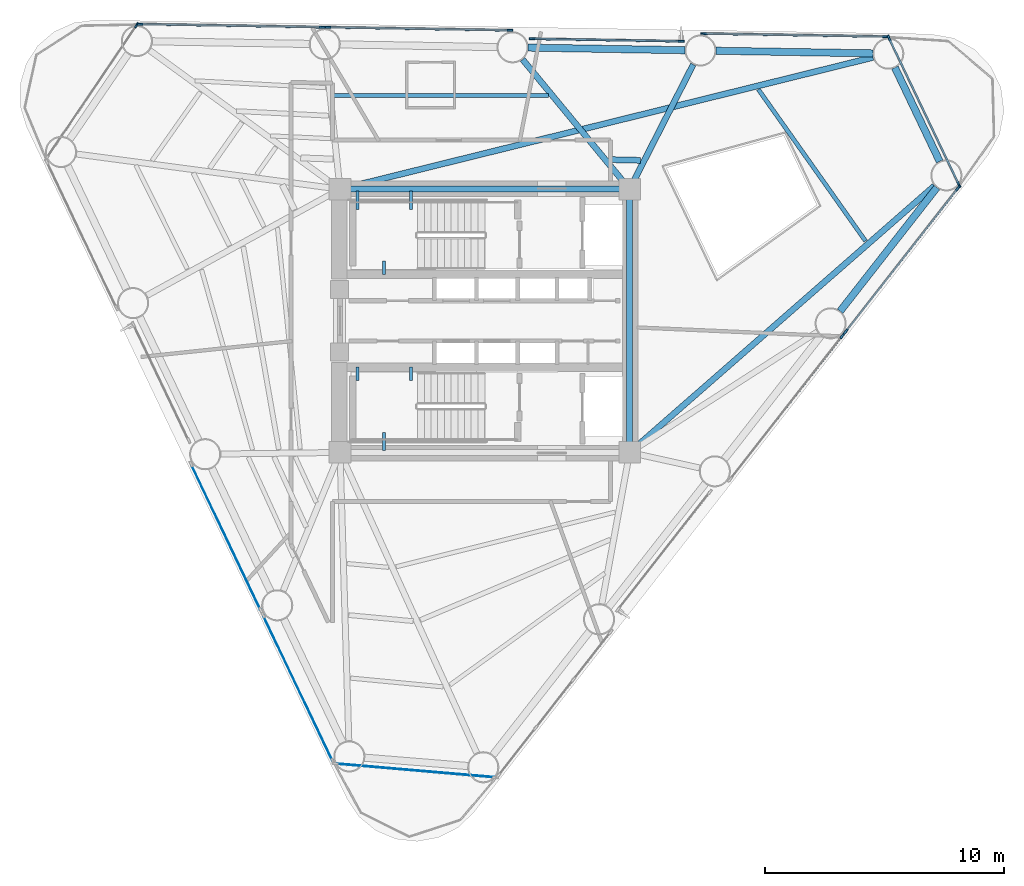
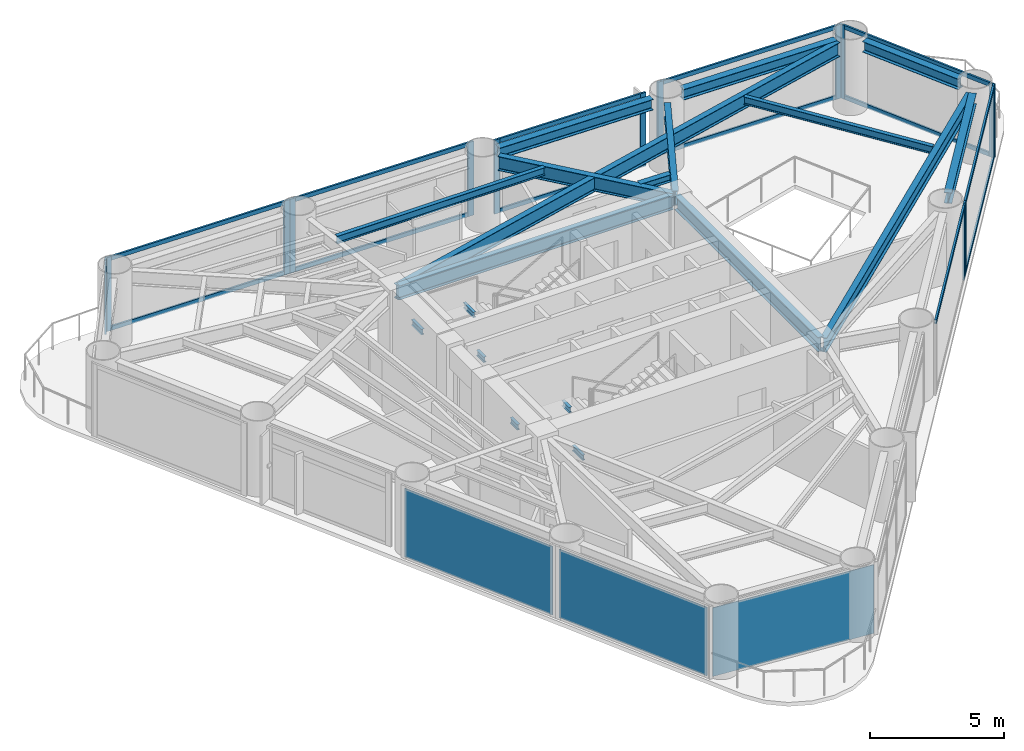
# One storey, part 4 of 10: 28 members, 19 beams, 3 plates, 11 elements without a shape of their own.
"""IFC4 building model written with IfcOpenShell, lengths in metres."""

from ifc_helpers import new_model, si_unit, direction, frame, origin, origin_2d, place, context, subcontext, project, spatial, rectangle, i_section, extrude, source, transform, mapped, material, layer, layer_set, material_profile, profile_set, type_object, element, aggregate, save


model = new_model("IFC4")

# Units and contexts
model_context = context("Model", 3, precision=1e-05, world=origin(), true_north=direction((0.0, 1.0)))
body_context = subcontext(model_context, "Body", "Model", "MODEL_VIEW")
ifc_project = project(units=[si_unit("LENGTHUNIT", "METRE"), si_unit("AREAUNIT", "SQUARE_METRE"), si_unit("VOLUMEUNIT", "CUBIC_METRE"), si_unit("PLANEANGLEUNIT", "RADIAN"), si_unit("MASSUNIT", "GRAM", prefix="KILO")], contexts=[model_context])

# Site, building, storey
site_placement = place(None, origin())
site = spatial("IfcSite", under=ifc_project, at=site_placement, CompositionType="ELEMENT")
building_placement = place(site_placement, origin())
building = spatial("IfcBuilding", under=site, at=building_placement, Name="Yunling Apex Tower", CompositionType="ELEMENT")
storey_placement = place(building_placement, frame((0.0, 0.0, 136.39990234375)))
storey = spatial("IfcBuildingStorey", under=building, at=storey_placement, Name="L33", CompositionType="ELEMENT", Elevation=136.39990234375)

# Beams
ifc_material_1 = material(Name="Steel Q355B", Category="steel")
ifc_material_profile_1 = material_profile(ifc_material_1, i_section(OverallWidth=0.125, OverallDepth=0.25, WebThickness=0.006103515625, FlangeThickness=0.009033203125, FilletRadius=0.011962890625, at=origin_2d()))
ifc_profile_set_1 = profile_set([ifc_material_profile_1], Name="Steel Q355B")
beam_type_1 = type_object("IfcBeamType", Name="BL-LNT-1", PredefinedType="LINTEL", material=ifc_profile_set_1)
shared_shape_1 = source(origin(), body_context, "Body", "SweptSolid", [
    extrude(i_section(OverallWidth=0.125, OverallDepth=0.25, WebThickness=0.006103515625, FlangeThickness=0.009033203125, FilletRadius=0.011962890625, at=origin_2d()), origin(), (0.0, 0.0, 1.0), 0.760009765625),
])
for number, where, z_axis, x_axis, name in (
    (1, (-5.320068359375, 5.419921875, 1.405029296875), (0.0, -1.0, 0.0), (1.0, 0.0, 0.0), "L33 ST-1 Landing Bearing Corbel 1-1"),
    (2, (-3.090087890625, 5.419921875, 1.405029296875), (0.0, -1.0, 0.0), (1.0, 0.0, 0.0), "L33 ST-1 Landing Bearing Corbel 1-2"),
    (3, (-4.205078125, -5.419921875, 1.405029296875), (0.0, 1.0, 0.0), (-1.0, 0.0, 0.0), "L33 ST-2 Landing Bearing Corbel 1-3"),
):
    element("IfcBeam", number, at=place(storey_placement, frame(where, z_axis=z_axis, x_axis=x_axis)), inside=storey, type_object=beam_type_1, Name=name, PredefinedType="LINTEL", context=body_context, shape_type="MappedRepresentation", body=[
        mapped(shared_shape_1, transform((0.0, 0.0, 0.0), scale=1.0)),
    ])
shared_shape_2 = source(origin(), body_context, "Body", "SweptSolid", [
    extrude(i_section(OverallWidth=0.125, OverallDepth=0.25, WebThickness=0.006103515625, FlangeThickness=0.009033203125, FilletRadius=0.011962890625, at=origin_2d()), origin(), (0.0, 0.0, 1.0), 0.550048828125),
])
for number, where, z_axis, x_axis, name in (
    (4, (-4.205078125, 1.93994140625, 1.405029296875), (0.0, 1.0, 0.0), (-1.0, 0.0, 0.0), "L33 ST-1 Landing Bearing Corbel 1-3"),
    (5, (-5.320068359375, -1.93994140625, 1.405029296875), (0.0, -1.0, 0.0), (1.0, 0.0, 0.0), "L33 ST-2 Landing Bearing Corbel 1-1"),
    (6, (-3.090087890625, -1.93994140625, 1.405029296875), (0.0, -1.0, 0.0), (1.0, 0.0, 0.0), "L33 ST-2 Landing Bearing Corbel 1-2"),
):
    element("IfcBeam", number, at=place(storey_placement, frame(where, z_axis=z_axis, x_axis=x_axis)), inside=storey, type_object=beam_type_1, Name=name, PredefinedType="LINTEL", context=body_context, shape_type="MappedRepresentation", body=[
        mapped(shared_shape_2, transform((0.0, 0.0, 0.0), scale=1.0)),
    ])
ifc_material_profile_2 = material_profile(ifc_material_1, i_section(OverallWidth=0.25, OverallDepth=0.64990234375, WebThickness=0.011962890625, FlangeThickness=0.02001953125, FilletRadius=0.02392578125, at=origin_2d()))
ifc_profile_set_2 = profile_set([ifc_material_profile_2], Name="Steel Q355B")
beam_type_2 = type_object("IfcBeamType", Name="BG-PRI-4", PredefinedType="USERDEFINED", material=ifc_profile_set_2)
shared_shape_3 = source(origin(), body_context, "Body", "SweptSolid", [
    extrude(i_section(OverallWidth=0.25, OverallDepth=0.64990234375, WebThickness=0.011962890625, FlangeThickness=0.02001953125, FilletRadius=0.02392578125, at=origin_2d()), origin(), (0.0, 0.0, 1.0), 11.7998046875),
])
beam_1_placement = place(storey_placement, frame((5.89990234375, 5.5, 2.945068359375), z_axis=(-1.0, 0.0, 0.0), x_axis=(0.0, -1.0, 0.0)))
element("IfcBeam", 7, at=beam_1_placement, inside=storey, type_object=beam_type_2, Name="L33 Core Ring Tie Beam 3", ObjectType="GIRDER", PredefinedType="USERDEFINED", context=body_context, shape_type="MappedRepresentation", body=[
    mapped(shared_shape_3, transform((0.0, 0.0, 0.0), scale=1.0)),
])
shared_shape_4 = source(origin(), body_context, "Body", "SweptSolid", [
    extrude(i_section(OverallWidth=0.25, OverallDepth=0.64990234375, WebThickness=0.011962890625, FlangeThickness=0.02001953125, FilletRadius=0.02392578125, at=origin_2d()), origin(), (0.0, 0.0, 1.0), 10.7001953125),
])
beam_2_placement = place(storey_placement, frame((6.050048828125, -5.35009765625, 2.945068359375), z_axis=(0.0, 1.0, 0.0), x_axis=(-1.0, 0.0, 0.0)))
element("IfcBeam", 8, at=beam_2_placement, inside=storey, type_object=beam_type_2, Name="L33 Core Ring Tie Beam 2", ObjectType="GIRDER", PredefinedType="USERDEFINED", context=body_context, shape_type="MappedRepresentation", body=[
    mapped(shared_shape_4, transform((0.0, 0.0, 0.0), scale=1.0)),
])
ifc_material_profile_3 = material_profile(ifc_material_1, i_section(OverallWidth=0.300048828125, OverallDepth=0.489990234375, WebThickness=0.010986328125, FlangeThickness=0.01806640625, FilletRadius=0.02197265625, at=origin_2d()))
ifc_profile_set_3 = profile_set([ifc_material_profile_3], Name="Steel Q355B")
beam_type_3 = type_object("IfcBeamType", Name="BP-SPN-2", PredefinedType="SPANDREL", material=ifc_profile_set_3)
shared_shape_5 = source(origin(), body_context, "Body", "SweptSolid", [
    extrude(i_section(OverallWidth=0.300048828125, OverallDepth=0.489990234375, WebThickness=0.010986328125, FlangeThickness=0.01806640625, FilletRadius=0.02197265625, at=origin_2d()), origin(), (0.0, 0.0, 1.0), 6.562255859375),
])
for number, where, z_axis, x_axis, name in (
    (9, (14.8447265625, 0.400390625, 3.025146484375), (0.616196907529, 0.787592135024, 0.0), (-0.787592135024, 0.616196907529, 0.0), "L33 Perimeter Spandrel Beam 4"),
    (10, (16.214599609375, 11.174560546875, 3.025146484375), (-0.999859845587, 0.016741839275, 0.0), (-0.016741839275, -0.999859845587, 0.0), "L33 Perimeter Spandrel Beam 6"),
):
    element("IfcBeam", number, at=place(storey_placement, frame(where, z_axis=z_axis, x_axis=x_axis)), inside=storey, type_object=beam_type_3, Name=name, PredefinedType="SPANDREL", context=body_context, shape_type="MappedRepresentation", body=[
        mapped(shared_shape_5, transform((0.0, 0.0, 0.0), scale=1.0)),
    ])
shared_shape_6 = source(origin(), body_context, "Body", "SweptSolid", [
    extrude(i_section(OverallWidth=0.300048828125, OverallDepth=0.489990234375, WebThickness=0.010986328125, FlangeThickness=0.01806640625, FilletRadius=0.02197265625, at=origin_2d()), origin(), (0.0, 0.0, 1.0), 6.56201171875),
])
beam_3_placement = place(storey_placement, frame((8.365478515625, 11.305908203125, 3.025146484375), z_axis=(-0.999859211643, 0.016779657083, 0.0), x_axis=(-0.016779657083, -0.999859211643, 0.0)))
element("IfcBeam", 11, at=beam_3_placement, inside=storey, type_object=beam_type_3, Name="L33 Perimeter Spandrel Beam 7", PredefinedType="SPANDREL", context=body_context, shape_type="MappedRepresentation", body=[
    mapped(shared_shape_6, transform((0.0, 0.0, 0.0), scale=1.0)),
])
shared_shape_7 = source(origin(), body_context, "Body", "SweptSolid", [
    extrude(i_section(OverallWidth=0.300048828125, OverallDepth=0.489990234375, WebThickness=0.010986328125, FlangeThickness=0.01806640625, FilletRadius=0.02197265625, at=origin_2d()), origin(), (0.0, 0.0, 1.0), 4.348876953125),
])
beam_4_placement = place(storey_placement, frame((19.0078125, 6.6572265625, 3.025146484375), z_axis=(-0.430473932145, 0.902603010046, 0.0), x_axis=(-0.902603010046, -0.430473932145, 0.0)))
element("IfcBeam", 12, at=beam_4_placement, inside=storey, type_object=beam_type_3, Name="L33 Perimeter Spandrel Beam 5", PredefinedType="SPANDREL", context=body_context, shape_type="MappedRepresentation", body=[
    mapped(shared_shape_7, transform((0.0, 0.0, 0.0), scale=1.0)),
])
shared_shape_8 = source(origin(), body_context, "Body", "SweptSolid", [
    extrude(i_section(OverallWidth=0.25, OverallDepth=0.64990234375, WebThickness=0.011962890625, FlangeThickness=0.02001953125, FilletRadius=0.02392578125, at=origin_2d()), origin(), (0.0, 0.0, 1.0), 16.84521484375),
])
beam_5_placement = place(storey_placement, frame((18.789794921875, 5.642822265625, 2.945068359375), z_axis=(-0.75271314446, -0.658348632684, 0.0), x_axis=(0.658348632684, -0.75271314446, 0.0)))
element("IfcBeam", 13, at=beam_5_placement, inside=storey, type_object=beam_type_2, Name="L33 Radial Primary Girder R05", ObjectType="GIRDER", PredefinedType="USERDEFINED", context=body_context, shape_type="MappedRepresentation", body=[
    mapped(shared_shape_8, transform((0.0, 0.0, 0.0), scale=1.0)),
])
shared_shape_9 = source(origin(), body_context, "Body", "SweptSolid", [
    extrude(i_section(OverallWidth=0.25, OverallDepth=0.64990234375, WebThickness=0.011962890625, FlangeThickness=0.02001953125, FilletRadius=0.02392578125, at=origin_2d()), origin(), (0.0, 0.0, 1.0), 22.860107421875),
])
beam_6_placement = place(storey_placement, frame((16.219482421875, 11.005859375, 2.945068359375), z_axis=(-0.970771198537, -0.240006833426, 0.0), x_axis=(0.240006833426, -0.970771198537, 0.0)))
element("IfcBeam", 14, at=beam_6_placement, inside=storey, type_object=beam_type_2, Name="L33 Radial Primary Girder R06", ObjectType="GIRDER", PredefinedType="USERDEFINED", context=body_context, shape_type="MappedRepresentation", body=[
    mapped(shared_shape_9, transform((0.0, 0.0, 0.0), scale=1.0)),
])
shared_shape_10 = source(origin(), body_context, "Body", "SweptSolid", [
    extrude(i_section(OverallWidth=0.25, OverallDepth=0.64990234375, WebThickness=0.011962890625, FlangeThickness=0.02001953125, FilletRadius=0.02392578125, at=origin_2d()), origin(), (0.0, 0.0, 1.0), 5.76904296875),
])
beam_7_placement = place(storey_placement, frame((8.710205078125, 10.709228515625, 2.945068359375), z_axis=(-0.454797867462, -0.890594688819, 0.0), x_axis=(0.890594688819, -0.454797867462, 0.0)))
element("IfcBeam", 15, at=beam_7_placement, inside=storey, type_object=beam_type_2, Name="L33 Radial Primary Girder R07", ObjectType="GIRDER", PredefinedType="USERDEFINED", context=body_context, shape_type="MappedRepresentation", body=[
    mapped(shared_shape_10, transform((0.0, 0.0, 0.0), scale=1.0)),
])
shared_shape_11 = source(origin(), body_context, "Body", "SweptSolid", [
    extrude(i_section(OverallWidth=0.25, OverallDepth=0.64990234375, WebThickness=0.011962890625, FlangeThickness=0.02001953125, FilletRadius=0.02392578125, at=origin_2d()), origin(), (0.0, 0.0, 1.0), 6.9453125),
])
beam_8_placement = place(storey_placement, frame((1.5791015625, 10.919189453125, 2.945068359375), z_axis=(0.636387137961, -0.771369827409, 0.0), x_axis=(0.771369827409, 0.636387137961, 0.0)))
element("IfcBeam", 16, at=beam_8_placement, inside=storey, type_object=beam_type_2, Name="L33 Radial Primary Girder R08", ObjectType="GIRDER", PredefinedType="USERDEFINED", context=body_context, shape_type="MappedRepresentation", body=[
    mapped(shared_shape_11, transform((0.0, 0.0, 0.0), scale=1.0)),
])
ifc_material_profile_4 = material_profile(ifc_material_1, i_section(OverallWidth=0.175048828125, OverallDepth=0.35009765625, WebThickness=0.007080078125, FlangeThickness=0.010986328125, FilletRadius=0.013916015625, at=origin_2d()))
ifc_profile_set_4 = profile_set([ifc_material_profile_4], Name="Steel Q355B")
beam_type_4 = type_object("IfcBeamType", Name="BJ-JST-1", PredefinedType="JOIST", material=ifc_profile_set_4)
shared_shape_12 = source(origin(), body_context, "Body", "SweptSolid", [
    extrude(i_section(OverallWidth=0.175048828125, OverallDepth=0.35009765625, WebThickness=0.007080078125, FlangeThickness=0.010986328125, FilletRadius=0.013916015625, at=origin_2d()), origin(), (0.0, 0.0, 1.0), 7.7578125),
])
beam_9_placement = place(storey_placement, frame((15.907958984375, 3.33349609375, 3.09521484375), z_axis=(-0.577260058065, 0.816560362351, 0.0), x_axis=(-0.816560362351, -0.577260058065, 0.0)))
element("IfcBeam", 17, at=beam_9_placement, inside=storey, type_object=beam_type_4, Name="L33 Composite Floor Joist BJ1-5", PredefinedType="JOIST", context=body_context, shape_type="MappedRepresentation", body=[
    mapped(shared_shape_12, transform((0.0, 0.0, 0.0), scale=1.0)),
])
ifc_material_profile_5 = material_profile(ifc_material_1, i_section(OverallWidth=0.25, OverallDepth=0.340087890625, WebThickness=0.009033203125, FlangeThickness=0.013916015625, FilletRadius=0.01806640625, at=origin_2d()))
ifc_profile_set_5 = profile_set([ifc_material_profile_5], Name="Steel Q355B")
beam_type_5 = type_object("IfcBeamType", Name="BJ-JST-2", PredefinedType="JOIST", material=ifc_profile_set_5)
shared_shape_13 = source(origin(), body_context, "Body", "SweptSolid", [
    extrude(i_section(OverallWidth=0.25, OverallDepth=0.340087890625, WebThickness=0.009033203125, FlangeThickness=0.013916015625, FilletRadius=0.01806640625, at=origin_2d()), origin(), (0.0, 0.0, 1.0), 1.3173828125),
])
beam_10_placement = place(storey_placement, frame((6.503662109375, 6.705322265625, 3.10009765625), z_axis=(-0.999718560735, 0.023723391875, 0.0), x_axis=(-0.023723391875, -0.999718560735, 0.0)))
element("IfcBeam", 18, at=beam_10_placement, inside=storey, type_object=beam_type_5, Name="L33 Composite Floor Joist BJ2-7", PredefinedType="JOIST", context=body_context, shape_type="MappedRepresentation", body=[
    mapped(shared_shape_13, transform((0.0, 0.0, 0.0), scale=1.0)),
])
shared_shape_14 = source(origin(), body_context, "Body", "SweptSolid", [
    extrude(i_section(OverallWidth=0.175048828125, OverallDepth=0.35009765625, WebThickness=0.007080078125, FlangeThickness=0.010986328125, FilletRadius=0.013916015625, at=origin_2d()), origin(), (0.0, 0.0, 1.0), 8.959228515625),
])
beam_11_placement = place(storey_placement, frame((2.65673828125, 9.4189453125, 3.09521484375), z_axis=(-0.99999980359, -0.000626754107, 0.0), x_axis=(0.000626754107, -0.99999980359, 0.0)))
element("IfcBeam", 19, at=beam_11_placement, inside=storey, type_object=beam_type_4, Name="L33 Composite Floor Joist BJ1-8", PredefinedType="JOIST", context=body_context, shape_type="MappedRepresentation", body=[
    mapped(shared_shape_14, transform((0.0, 0.0, 0.0), scale=1.0)),
])

# Curtain wall, member
ifc_material_2 = material(Name="Bronze anodised aluminium", Category="aluminium")
ifc_layer_1 = layer(ifc_material_2, 0.239990234375)
ifc_layer_set_1 = layer_set([ifc_layer_1], Name="Bronze anodised aluminium")
curtain_wall_type = type_object("IfcCurtainWallType", Name="CW-SYS-3", PredefinedType="NOTDEFINED", material=ifc_layer_set_1)
curtain_wall_1_placement = place(storey_placement, origin())
curtain_wall_1 = element("IfcCurtainWall", 20, at=curtain_wall_1_placement, inside=storey, type_object=curtain_wall_type, Name="CW-L33-F1-B3", PredefinedType="NOTDEFINED")
ifc_material_profile_6 = material_profile(ifc_material_2, rectangle(XDim=0.080078125, YDim=0.18505859375, at=origin_2d()))
ifc_profile_set_6 = profile_set([ifc_material_profile_6], Name="Bronze anodised aluminium")
member_type_1 = type_object("IfcMemberType", Name="CW-TRN-3", PredefinedType="USERDEFINED", material=ifc_profile_set_6)
shared_shape_15 = source(origin(), body_context, "Body", "SweptSolid", [
    extrude(rectangle(XDim=0.080078125, YDim=0.18505859375, at=origin_2d()), origin(), (0.0, 0.0, 1.0), 7.5380859375),
])
member_1_placement = place(storey_placement, frame((10.265869140625, -6.603759765625, 3.22998046875), z_axis=(0.616213940974, 0.787578808088, 0.0), x_axis=(-0.787578808088, 0.616213940974, 0.0)))
member_1 = element("IfcMember", 21, at=member_1_placement, type_object=member_type_1, Name="CW-SYS-3 transom 1.2", ObjectType="TRANSOM", PredefinedType="USERDEFINED", context=body_context, shape_type="MappedRepresentation", body=[
    mapped(shared_shape_15, transform((0.0, 0.0, 0.0), scale=1.0)),
])

# Curtain wall, members
curtain_wall_2_placement = place(storey_placement, origin())
curtain_wall_2 = element("IfcCurtainWall", 22, at=curtain_wall_2_placement, inside=storey, type_object=curtain_wall_type, Name="CW-L33-F1-B4", PredefinedType="NOTDEFINED")
member_2_placement = place(storey_placement, frame((15.10302734375, -0.421142578125, 0.0400390625), z_axis=(0.616213940974, 0.787578808088, 0.0), x_axis=(-0.787578808088, 0.616213940974, 0.0)))
member_2 = element("IfcMember", 23, at=member_2_placement, type_object=member_type_1, Name="CW-SYS-3 transom 1.1", ObjectType="TRANSOM", PredefinedType="USERDEFINED", context=body_context, shape_type="MappedRepresentation", body=[
    mapped(shared_shape_15, transform((0.0, 0.0, 0.0), scale=1.0)),
])
member_3_placement = place(storey_placement, frame((15.10302734375, -0.421142578125, 3.22998046875), z_axis=(0.616213940974, 0.787578808088, 0.0), x_axis=(-0.787578808088, 0.616213940974, 0.0)))
member_3 = element("IfcMember", 24, at=member_3_placement, type_object=member_type_1, Name="CW-SYS-3 transom 1.2", ObjectType="TRANSOM", PredefinedType="USERDEFINED", context=body_context, shape_type="MappedRepresentation", body=[
    mapped(shared_shape_15, transform((0.0, 0.0, 0.0), scale=1.0)),
])

curtain_wall_3_placement = place(storey_placement, origin())
curtain_wall_3 = element("IfcCurtainWall", 25, at=curtain_wall_3_placement, inside=storey, type_object=curtain_wall_type, Name="CW-L33-F2-B1", PredefinedType="NOTDEFINED")
member_4_placement = place(storey_placement, frame((16.71435546875, 11.876220703125, 0.0400390625), z_axis=(-0.999859805743, 0.016744218696, 0.0), x_axis=(-0.016744218696, -0.999859805743, 0.0)))
member_4 = element("IfcMember", 26, at=member_4_placement, type_object=member_type_1, Name="CW-SYS-3 transom 1.1", ObjectType="TRANSOM", PredefinedType="USERDEFINED", context=body_context, shape_type="MappedRepresentation", body=[
    mapped(shared_shape_15, transform((0.0, 0.0, 0.0), scale=1.0)),
])
member_5_placement = place(storey_placement, frame((16.71435546875, 11.876220703125, 3.22998046875), z_axis=(-0.999859805743, 0.016744218696, 0.0), x_axis=(-0.016744218696, -0.999859805743, 0.0)))
member_5 = element("IfcMember", 27, at=member_5_placement, type_object=member_type_1, Name="CW-SYS-3 transom 1.2", ObjectType="TRANSOM", PredefinedType="USERDEFINED", context=body_context, shape_type="MappedRepresentation", body=[
    mapped(shared_shape_15, transform((0.0, 0.0, 0.0), scale=1.0)),
])

curtain_wall_4_placement = place(storey_placement, origin())
curtain_wall_4 = element("IfcCurtainWall", 28, at=curtain_wall_4_placement, inside=storey, type_object=curtain_wall_type, Name="CW-L33-F2-B3", PredefinedType="NOTDEFINED")
member_6_placement = place(storey_placement, frame((1.016357421875, 12.139404296875, 0.0400390625), z_axis=(-0.999859805743, 0.016744218696, 0.0), x_axis=(-0.016744218696, -0.999859805743, 0.0)))
member_6 = element("IfcMember", 29, at=member_6_placement, type_object=member_type_1, Name="CW-SYS-3 transom 1.1", ObjectType="TRANSOM", PredefinedType="USERDEFINED", context=body_context, shape_type="MappedRepresentation", body=[
    mapped(shared_shape_15, transform((0.0, 0.0, 0.0), scale=1.0)),
])
member_7_placement = place(storey_placement, frame((1.016357421875, 12.139404296875, 3.22998046875), z_axis=(-0.999859805743, 0.016744218696, 0.0), x_axis=(-0.016744218696, -0.999859805743, 0.0)))
member_7 = element("IfcMember", 30, at=member_7_placement, type_object=member_type_1, Name="CW-SYS-3 transom 1.2", ObjectType="TRANSOM", PredefinedType="USERDEFINED", context=body_context, shape_type="MappedRepresentation", body=[
    mapped(shared_shape_15, transform((0.0, 0.0, 0.0), scale=1.0)),
])

curtain_wall_5_placement = place(storey_placement, origin())
curtain_wall_5 = element("IfcCurtainWall", 31, at=curtain_wall_5_placement, inside=storey, type_object=curtain_wall_type, Name="CW-L33-F2-B4", PredefinedType="NOTDEFINED")
member_8_placement = place(storey_placement, frame((-6.83251953125, 12.27099609375, 0.0400390625), z_axis=(-0.999859805743, 0.016744218696, 0.0), x_axis=(-0.016744218696, -0.999859805743, 0.0)))
member_8 = element("IfcMember", 32, at=member_8_placement, type_object=member_type_1, Name="CW-SYS-3 transom 1.1", ObjectType="TRANSOM", PredefinedType="USERDEFINED", context=body_context, shape_type="MappedRepresentation", body=[
    mapped(shared_shape_15, transform((0.0, 0.0, 0.0), scale=1.0)),
])
member_9_placement = place(storey_placement, frame((-6.83251953125, 12.27099609375, 3.22998046875), z_axis=(-0.999859805743, 0.016744218696, 0.0), x_axis=(-0.016744218696, -0.999859805743, 0.0)))
member_9 = element("IfcMember", 33, at=member_9_placement, type_object=member_type_1, Name="CW-SYS-3 transom 1.2", ObjectType="TRANSOM", PredefinedType="USERDEFINED", context=body_context, shape_type="MappedRepresentation", body=[
    mapped(shared_shape_15, transform((0.0, 0.0, 0.0), scale=1.0)),
])

curtain_wall_6_placement = place(storey_placement, origin())
curtain_wall_6 = element("IfcCurtainWall", 34, at=curtain_wall_6_placement, inside=storey, type_object=curtain_wall_type, Name="CW-L33-CRN1", PredefinedType="NOTDEFINED")
shared_shape_16 = source(origin(), body_context, "Body", "SweptSolid", [
    extrude(rectangle(XDim=0.080078125, YDim=0.18505859375, at=origin_2d()), origin(), (0.0, 0.0, 1.0), 6.719970703125),
])
member_10_placement = place(storey_placement, frame((19.7958984375, 5.719482421875, 0.0400390625), z_axis=(-0.430511684766, 0.902585003908, 0.0), x_axis=(-0.902585003908, -0.430511684766, 0.0)))
member_10 = element("IfcMember", 35, at=member_10_placement, type_object=member_type_1, Name="CW-SYS-3 transom 1.1", ObjectType="TRANSOM", PredefinedType="USERDEFINED", context=body_context, shape_type="MappedRepresentation", body=[
    mapped(shared_shape_16, transform((0.0, 0.0, 0.0), scale=1.0)),
])
member_11_placement = place(storey_placement, frame((19.7958984375, 5.719482421875, 3.22998046875), z_axis=(-0.430511684766, 0.902585003908, 0.0), x_axis=(-0.902585003908, -0.430511684766, 0.0)))
member_11 = element("IfcMember", 36, at=member_11_placement, type_object=member_type_1, Name="CW-SYS-3 transom 1.2", ObjectType="TRANSOM", PredefinedType="USERDEFINED", context=body_context, shape_type="MappedRepresentation", body=[
    mapped(shared_shape_16, transform((0.0, 0.0, 0.0), scale=1.0)),
])

curtain_wall_7_placement = place(storey_placement, origin())
curtain_wall_7 = element("IfcCurtainWall", 37, at=curtain_wall_7_placement, inside=storey, type_object=curtain_wall_type, Name="CW-L33-F2-B2", PredefinedType="NOTDEFINED")
shared_shape_17 = source(origin(), body_context, "Body", "SweptSolid", [
    extrude(rectangle(XDim=0.080078125, YDim=0.18505859375, at=origin_2d()), origin(), (0.0, 0.0, 1.0), 6.158447265625),
])
member_12_placement = place(storey_placement, frame((8.169921875, 11.679443359375, 0.0400390625), z_axis=(-0.99985938407, 0.016769379464, 0.0), x_axis=(-0.016769379464, -0.99985938407, 0.0)))
member_12 = element("IfcMember", 38, at=member_12_placement, type_object=member_type_1, Name="CW-SYS-3 transom 1.1", ObjectType="TRANSOM", PredefinedType="USERDEFINED", context=body_context, shape_type="MappedRepresentation", body=[
    mapped(shared_shape_17, transform((0.0, 0.0, 0.0), scale=1.0)),
])
member_13_placement = place(storey_placement, frame((8.169921875, 11.679443359375, 2.4853515625), z_axis=(-0.99985938407, 0.016769379464, 0.0), x_axis=(-0.016769379464, -0.99985938407, 0.0)))
member_13 = element("IfcMember", 39, at=member_13_placement, type_object=member_type_1, Name="CW-SYS-3 transom 1.2", ObjectType="TRANSOM", PredefinedType="USERDEFINED", context=body_context, shape_type="MappedRepresentation", body=[
    mapped(shared_shape_17, transform((0.0, 0.0, 0.0), scale=1.0)),
])
member_14_placement = place(storey_placement, frame((8.169921875, 11.679443359375, 3.22998046875), z_axis=(-0.99985938407, 0.016769379464, 0.0), x_axis=(-0.016769379464, -0.99985938407, 0.0)))
member_14 = element("IfcMember", 40, at=member_14_placement, type_object=member_type_1, Name="CW-SYS-3 transom 1.3", ObjectType="TRANSOM", PredefinedType="USERDEFINED", context=body_context, shape_type="MappedRepresentation", body=[
    mapped(shared_shape_17, transform((0.0, 0.0, 0.0), scale=1.0)),
])

# Member
ifc_material_profile_7 = material_profile(ifc_material_2, rectangle(XDim=0.080078125, YDim=0.239990234375, at=origin_2d()))
ifc_profile_set_7 = profile_set([ifc_material_profile_7], Name="Bronze anodised aluminium")
member_type_2 = type_object("IfcMemberType", Name="CW-MUL-3", PredefinedType="MULLION", material=ifc_profile_set_7)
shared_shape_18 = source(origin(), body_context, "Body", "SweptSolid", [
    extrude(rectangle(XDim=0.080078125, YDim=0.239990234375, at=origin_2d()), origin(), (0.0, 0.0, 1.0), 3.369873046875),
])
member_15_placement = place(storey_placement, frame((14.93310546875, -0.638671875, -0.0498046875), z_axis=(0.0, 0.0, 1.0), x_axis=(-0.787583748686, 0.616207626377, 0.0)))
member_15 = element("IfcMember", 41, at=member_15_placement, type_object=member_type_2, Name="CW-SYS-3 mullion 2", PredefinedType="MULLION", context=body_context, shape_type="MappedRepresentation", body=[
    mapped(shared_shape_18, transform((0.0, 0.0, 0.0), scale=1.0)),
])

aggregate(curtain_wall_1, [member_15, member_1])

member_16_placement = place(storey_placement, frame((15.0810546875, -0.44970703125, -0.0498046875), z_axis=(0.0, 0.0, 1.0), x_axis=(-0.787583748686, 0.616207626377, 0.0)))
member_16 = element("IfcMember", 42, at=member_16_placement, type_object=member_type_2, Name="CW-SYS-3 mullion 1", PredefinedType="MULLION", context=body_context, shape_type="MappedRepresentation", body=[
    mapped(shared_shape_18, transform((0.0, 0.0, 0.0), scale=1.0)),
])

member_17_placement = place(storey_placement, frame((19.770263671875, 5.5439453125, -0.0498046875), z_axis=(0.0, 0.0, 1.0), x_axis=(-0.787583748686, 0.616207626377, 0.0)))
member_17 = element("IfcMember", 43, at=member_17_placement, type_object=member_type_2, Name="CW-SYS-3 mullion 2", PredefinedType="MULLION", context=body_context, shape_type="MappedRepresentation", body=[
    mapped(shared_shape_18, transform((0.0, 0.0, 0.0), scale=1.0)),
])

aggregate(curtain_wall_2, [member_16, member_17, member_2, member_3])

member_18_placement = place(storey_placement, frame((19.811279296875, 5.68701171875, -0.0498046875), z_axis=(0.0, 0.0, 1.0), x_axis=(-0.902581673296, -0.430518667458, 0.0)))
member_18 = element("IfcMember", 44, at=member_18_placement, type_object=member_type_2, Name="CW-SYS-3 mullion 1", PredefinedType="MULLION", context=body_context, shape_type="MappedRepresentation", body=[
    mapped(shared_shape_18, transform((0.0, 0.0, 0.0), scale=1.0)),
])

member_19_placement = place(storey_placement, frame((16.88720703125, 11.8173828125, -0.0498046875), z_axis=(0.0, 0.0, 1.0), x_axis=(-0.902581673296, -0.430518667458, 0.0)))
member_19 = element("IfcMember", 45, at=member_19_placement, type_object=member_type_2, Name="CW-SYS-3 mullion 2", PredefinedType="MULLION", context=body_context, shape_type="MappedRepresentation", body=[
    mapped(shared_shape_18, transform((0.0, 0.0, 0.0), scale=1.0)),
])

aggregate(curtain_wall_6, [member_18, member_19, member_10, member_11])

member_20_placement = place(storey_placement, frame((16.75048828125, 11.87548828125, -0.0498046875), z_axis=(0.0, 0.0, 1.0), x_axis=(-0.016761635477, -0.99985951392, 0.0)))
member_20 = element("IfcMember", 46, at=member_20_placement, type_object=member_type_2, Name="CW-SYS-3 mullion 1", PredefinedType="MULLION", context=body_context, shape_type="MappedRepresentation", body=[
    mapped(shared_shape_18, transform((0.0, 0.0, 0.0), scale=1.0)),
])

member_21_placement = place(storey_placement, frame((9.141357421875, 12.003173828125, -0.0498046875), z_axis=(0.0, 0.0, 1.0), x_axis=(-0.016761635477, -0.99985951392, 0.0)))
member_21 = element("IfcMember", 47, at=member_21_placement, type_object=member_type_2, Name="CW-SYS-3 mullion 2", PredefinedType="MULLION", context=body_context, shape_type="MappedRepresentation", body=[
    mapped(shared_shape_18, transform((0.0, 0.0, 0.0), scale=1.0)),
])

aggregate(curtain_wall_3, [member_20, member_21, member_4, member_5])

member_22_placement = place(storey_placement, frame((8.205810546875, 11.6787109375, -0.0498046875), z_axis=(0.0, 0.0, 1.0), x_axis=(-0.016766539529, -0.999859431696, 0.0)))
member_22 = element("IfcMember", 48, at=member_22_placement, type_object=member_type_2, Name="CW-SYS-3 mullion 1", PredefinedType="MULLION", context=body_context, shape_type="MappedRepresentation", body=[
    mapped(shared_shape_18, transform((0.0, 0.0, 0.0), scale=1.0)),
])

member_23_placement = place(storey_placement, frame((1.9765625, 11.783203125, -0.0498046875), z_axis=(0.0, 0.0, 1.0), x_axis=(-0.016766539529, -0.999859431696, 0.0)))
member_23 = element("IfcMember", 49, at=member_23_placement, type_object=member_type_2, Name="CW-SYS-3 mullion 2", PredefinedType="MULLION", context=body_context, shape_type="MappedRepresentation", body=[
    mapped(shared_shape_18, transform((0.0, 0.0, 0.0), scale=1.0)),
])

aggregate(curtain_wall_7, [member_22, member_23, member_12, member_13, member_14])

member_24_placement = place(storey_placement, frame((1.052490234375, 12.138671875, -0.0498046875), z_axis=(0.0, 0.0, 1.0), x_axis=(-0.016761635477, -0.99985951392, 0.0)))
member_24 = element("IfcMember", 50, at=member_24_placement, type_object=member_type_2, Name="CW-SYS-3 mullion 1", PredefinedType="MULLION", context=body_context, shape_type="MappedRepresentation", body=[
    mapped(shared_shape_18, transform((0.0, 0.0, 0.0), scale=1.0)),
])

member_25_placement = place(storey_placement, frame((-6.556640625, 12.266357421875, -0.0498046875), z_axis=(0.0, 0.0, 1.0), x_axis=(-0.016761635477, -0.99985951392, 0.0)))
member_25 = element("IfcMember", 51, at=member_25_placement, type_object=member_type_2, Name="CW-SYS-3 mullion 2", PredefinedType="MULLION", context=body_context, shape_type="MappedRepresentation", body=[
    mapped(shared_shape_18, transform((0.0, 0.0, 0.0), scale=1.0)),
])

aggregate(curtain_wall_4, [member_24, member_25, member_6, member_7])

member_26_placement = place(storey_placement, frame((-6.796630859375, 12.270263671875, -0.0498046875), z_axis=(0.0, 0.0, 1.0), x_axis=(-0.016761635477, -0.99985951392, 0.0)))
member_26 = element("IfcMember", 52, at=member_26_placement, type_object=member_type_2, Name="CW-SYS-3 mullion 1", PredefinedType="MULLION", context=body_context, shape_type="MappedRepresentation", body=[
    mapped(shared_shape_18, transform((0.0, 0.0, 0.0), scale=1.0)),
])

member_27_placement = place(storey_placement, frame((-14.40576171875, 12.39794921875, -0.0498046875), z_axis=(0.0, 0.0, 1.0), x_axis=(-0.016761635477, -0.99985951392, 0.0)))
member_27 = element("IfcMember", 53, at=member_27_placement, type_object=member_type_2, Name="CW-SYS-3 mullion 2", PredefinedType="MULLION", context=body_context, shape_type="MappedRepresentation", body=[
    mapped(shared_shape_18, transform((0.0, 0.0, 0.0), scale=1.0)),
])

aggregate(curtain_wall_5, [member_26, member_27, member_8, member_9])

# Curtain wall, member
curtain_wall_8_placement = place(storey_placement, origin())
curtain_wall_8 = element("IfcCurtainWall", 54, at=curtain_wall_8_placement, inside=storey, type_object=curtain_wall_type, Name="CW-L33-CRN2", PredefinedType="NOTDEFINED")
member_28_placement = place(storey_placement, frame((-14.54833984375, 12.3466796875, -0.0498046875), z_axis=(0.0, 0.0, 1.0), x_axis=(0.82813882115, -0.560523052964, 0.0)))
member_28 = element("IfcMember", 55, at=member_28_placement, type_object=member_type_2, Name="CW-SYS-3 mullion 1", PredefinedType="MULLION", context=body_context, shape_type="MappedRepresentation", body=[
    mapped(shared_shape_18, transform((0.0, 0.0, 0.0), scale=1.0)),
])
aggregate(curtain_wall_8, [member_28])

# Curtain wall, plate
curtain_wall_9_placement = place(storey_placement, origin())
curtain_wall_9 = element("IfcCurtainWall", 56, at=curtain_wall_9_placement, inside=storey, type_object=curtain_wall_type, Name="CW-L33-F3-B3", PredefinedType="NOTDEFINED")
ifc_material_3 = material(Name="Bronze tinted low-E glass", Category="glass")
ifc_layer_2 = layer(ifc_material_3, 0.031982421875)
ifc_layer_set_2 = layer_set([ifc_layer_2], Name="Bronze tinted low-E glass")
plate_type = type_object("IfcPlateType", Name="CW-PNL-3", PredefinedType="CURTAIN_PANEL", material=ifc_layer_set_2)
shared_shape_19 = source(origin(), body_context, "Body", "SweptSolid", [
    extrude(rectangle(XDim=6.691650390625, YDim=0.031982421875, at=origin_2d()), origin(), (0.0, 0.0, 1.0), 3.1259765625),
])
plate_1_placement = place(storey_placement, frame((-10.820068359375, -9.036376953125, 0.072021484375), z_axis=(0.0, 0.0, 1.0), x_axis=(0.430493977743, -0.902593449526, 0.0)))
plate_1 = element("IfcPlate", 57, at=plate_1_placement, type_object=plate_type, Name="CW-SYS-3 panel 1.1", PredefinedType="CURTAIN_PANEL", context=body_context, shape_type="MappedRepresentation", body=[
    mapped(shared_shape_19, transform((0.0, 0.0, 0.0), scale=1.0)),
])
aggregate(curtain_wall_9, [plate_1])

curtain_wall_10_placement = place(storey_placement, origin())
curtain_wall_10 = element("IfcCurtainWall", 58, at=curtain_wall_10_placement, inside=storey, type_object=curtain_wall_type, Name="CW-L33-F3-B4", PredefinedType="NOTDEFINED")
plate_2_placement = place(storey_placement, frame((-7.80859375, -15.350341796875, 0.072021484375), z_axis=(0.0, 0.0, 1.0), x_axis=(0.430511580192, -0.902585053788, 0.0)))
plate_2 = element("IfcPlate", 59, at=plate_2_placement, type_object=plate_type, Name="CW-SYS-3 panel 1.1", PredefinedType="CURTAIN_PANEL", context=body_context, shape_type="MappedRepresentation", body=[
    mapped(shared_shape_19, transform((0.0, 0.0, 0.0), scale=1.0)),
])
aggregate(curtain_wall_10, [plate_2])

curtain_wall_11_placement = place(storey_placement, origin())
curtain_wall_11 = element("IfcCurtainWall", 60, at=curtain_wall_11_placement, inside=storey, type_object=curtain_wall_type, Name="CW-L33-CRN3", PredefinedType="NOTDEFINED")
shared_shape_20 = source(origin(), body_context, "Body", "SweptSolid", [
    extrude(rectangle(XDim=6.64501953125, YDim=0.031982421875, at=origin_2d()), origin(), (0.0, 0.0, 1.0), 3.1259765625),
])
plate_3_placement = place(storey_placement, frame((-2.902587890625, -18.789306640625, 0.072021484375), z_axis=(0.0, 0.0, 1.0), x_axis=(0.996333853808, -0.085550287883, 0.0)))
plate_3 = element("IfcPlate", 61, at=plate_3_placement, type_object=plate_type, Name="CW-SYS-3 panel 1.1", PredefinedType="CURTAIN_PANEL", context=body_context, shape_type="MappedRepresentation", body=[
    mapped(shared_shape_20, transform((0.0, 0.0, 0.0), scale=1.0)),
])
aggregate(curtain_wall_11, [plate_3])

save(model, "model.ifc")
